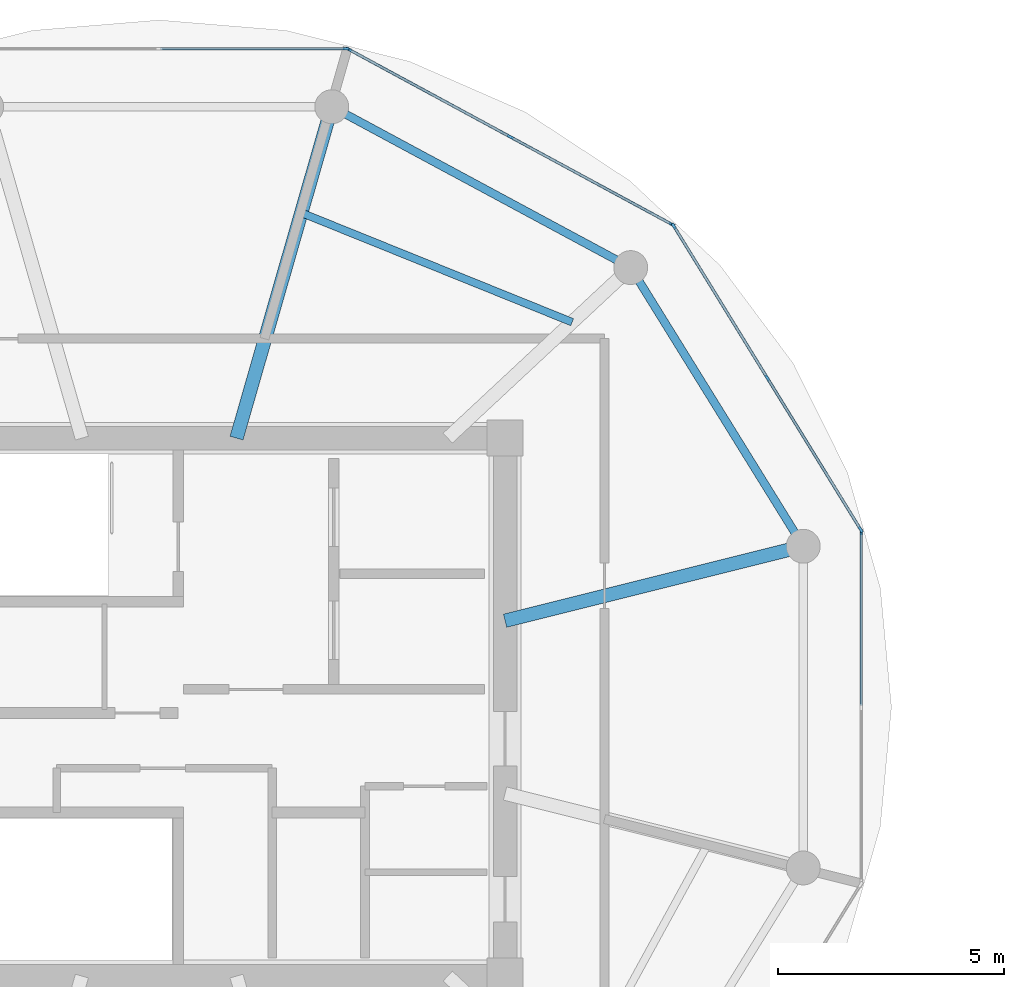
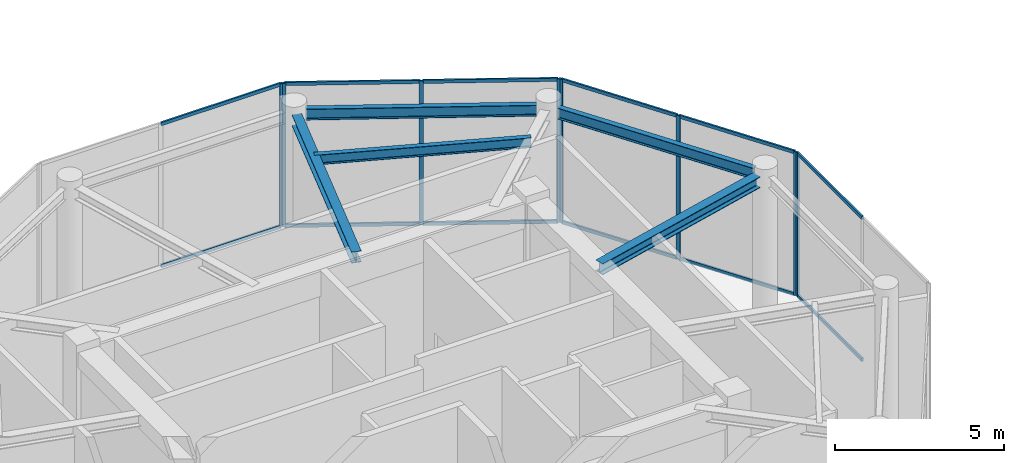
# One storey, part 5 of 15: 20 members, 5 beams, 4 elements without a shape of their own.
"""IFC4 building model written with IfcOpenShell, lengths in metres."""

from ifc_helpers import new_model, si_unit, direction, frame, origin, origin_2d, place, context, subcontext, project, spatial, rectangle, i_section, extrude, source, transform, mapped, material, layer, layer_set, material_profile, profile_set, type_object, type_shapes, element, aggregate, save


model = new_model("IFC4")

# Units and contexts
model_context = context("Model", 3, precision=1e-05, world=origin(), true_north=direction((0.0, 1.0)))
body_context = subcontext(model_context, "Body", "Model", "MODEL_VIEW")
ifc_project = project(units=[si_unit("LENGTHUNIT", "METRE"), si_unit("AREAUNIT", "SQUARE_METRE"), si_unit("VOLUMEUNIT", "CUBIC_METRE"), si_unit("PLANEANGLEUNIT", "RADIAN"), si_unit("MASSUNIT", "GRAM", prefix="KILO")], contexts=[model_context])

# Site, building, storey
site_placement = place(None, origin())
site = spatial("IfcSite", under=ifc_project, at=site_placement, CompositionType="ELEMENT")
building_placement = place(site_placement, origin())
building = spatial("IfcBuilding", under=site, at=building_placement, Name="Norrkilde Senior Care Towers", CompositionType="ELEMENT")
storey_placement = place(building_placement, frame((0.0, 0.0, 244.39990234375)))
storey = spatial("IfcBuildingStorey", under=building, at=storey_placement, Name="L76", CompositionType="ELEMENT", Elevation=244.39990234375)

# Beams
ifc_material_1 = material(Name="Steel S355", Category="steel")
ifc_material_profile_1 = material_profile(ifc_material_1, i_section(OverallWidth=0.179931640625, OverallDepth=0.39990234375, WebThickness=0.008544921875, FlangeThickness=0.013427734375, FilletRadius=0.02099609375, at=origin_2d()), Name="IPE 400")
ifc_profile_set_1 = profile_set([ifc_material_profile_1], Name="Steel S355")
beam_type_1 = type_object("IfcBeamType", Name="Perimeter Ring Spandrel Z4 IPE400", PredefinedType="SPANDREL", material=ifc_profile_set_1)
shared_shape_1 = source(origin(), body_context, "Body", "SweptSolid", [
    extrude(i_section(OverallWidth=0.179931640625, OverallDepth=0.39990234375, WebThickness=0.008544921875, FlangeThickness=0.013427734375, FilletRadius=0.02099609375, at=origin_2d()), origin(), (0.0, 0.0, 1.0), 6.58056640625),
])
beam_1_placement = place(storey_placement, frame((-13.928955078125, 3.843505859375, 4.97509765625), z_axis=(-0.526529583789, 0.850156807533, 0.0), x_axis=(-0.850156807533, -0.526529583789, 0.0)))
element("IfcBeam", 1, at=beam_1_placement, inside=storey, type_object=beam_type_1, Name="L76 Drum W Perimeter Spandrel 01", PredefinedType="SPANDREL", context=body_context, shape_type="MappedRepresentation", body=[
    mapped(shared_shape_1, transform((0.0, 0.0, 0.0), x_axis=(1.0, 0.0, 0.0), y_axis=(0.0, 1.0, 0.0), z_axis=(0.0, 0.0, 1.0), scale=1.0)),
])
ifc_material_profile_2 = material_profile(ifc_material_1, i_section(OverallWidth=0.300048828125, OverallDepth=0.39990234375, WebThickness=0.013427734375, FlangeThickness=0.02392578125, FilletRadius=0.027099609375, at=origin_2d()), Name="HEB 400")
ifc_profile_set_2 = profile_set([ifc_material_profile_2], Name="Steel S355")
beam_type_2 = type_object("IfcBeamType", Name="Radial Floor Beam Z4 HEB400", PredefinedType="BEAM", material=ifc_profile_set_2)
shared_shape_2 = source(origin(), body_context, "Body", "SweptSolid", [
    extrude(i_section(OverallWidth=0.300048828125, OverallDepth=0.39990234375, WebThickness=0.013427734375, FlangeThickness=0.02392578125, FilletRadius=0.027099609375, at=origin_2d()), origin(), (0.0, 0.0, 1.0), 6.465087890625),
])
beam_2_placement = place(storey_placement, frame((-20.35009765625, 1.910888671875, 4.97509765625), z_axis=(0.970195788563, 0.242322371758, 0.0), x_axis=(-0.242322371758, 0.970195788563, 0.0)))
element("IfcBeam", 2, at=beam_2_placement, inside=storey, type_object=beam_type_2, Name="L76 Drum W Radial Floor Beam 01", PredefinedType="BEAM", context=body_context, shape_type="MappedRepresentation", body=[
    mapped(shared_shape_2, transform((0.0, 0.0, 0.0), x_axis=(1.0, 0.0, 0.0), y_axis=(0.0, 1.0, 0.0), z_axis=(0.0, 0.0, 1.0), scale=1.0)),
])
shared_shape_3 = source(origin(), body_context, "Body", "SweptSolid", [
    extrude(i_section(OverallWidth=0.179931640625, OverallDepth=0.39990234375, WebThickness=0.008544921875, FlangeThickness=0.013427734375, FilletRadius=0.02099609375, at=origin_2d()), origin(), (0.0, 0.0, 1.0), 6.839111328125),
])
type_shapes(beam_type_1, [shared_shape_1, shared_shape_3])
beam_3_placement = place(storey_placement, frame((-17.865234375, 9.881591796875, 4.97509765625), z_axis=(-0.880563930732, 0.473927382511, 0.0), x_axis=(-0.473927382511, -0.880563930732, 0.0)))
element("IfcBeam", 3, at=beam_3_placement, inside=storey, type_object=beam_type_1, Name="L76 Drum W Perimeter Spandrel 02", PredefinedType="SPANDREL", context=body_context, shape_type="MappedRepresentation", body=[
    mapped(shared_shape_3, transform((0.0, 0.0, 0.0), x_axis=(1.0, 0.0, 0.0), y_axis=(0.0, 1.0, 0.0), z_axis=(0.0, 0.0, 1.0), scale=1.0)),
])
shared_shape_4 = source(origin(), body_context, "Body", "SweptSolid", [
    extrude(i_section(OverallWidth=0.300048828125, OverallDepth=0.39990234375, WebThickness=0.013427734375, FlangeThickness=0.02392578125, FilletRadius=0.027099609375, at=origin_2d()), origin(), (0.0, 0.0, 1.0), 7.29345703125),
])
type_shapes(beam_type_2, [shared_shape_2, shared_shape_4])
beam_4_placement = place(storey_placement, frame((-26.289794921875, 5.949951171875, 4.97509765625), z_axis=(0.276263751906, 0.961081858836, 0.0), x_axis=(-0.961081858836, 0.276263751906, 0.0)))
element("IfcBeam", 4, at=beam_4_placement, inside=storey, type_object=beam_type_2, Name="L76 Drum W Radial Floor Beam 03", PredefinedType="BEAM", context=body_context, shape_type="MappedRepresentation", body=[
    mapped(shared_shape_4, transform((0.0, 0.0, 0.0), x_axis=(1.0, 0.0, 0.0), y_axis=(0.0, 1.0, 0.0), z_axis=(0.0, 0.0, 1.0), scale=1.0)),
])
ifc_material_profile_3 = material_profile(ifc_material_1, i_section(OverallWidth=0.169921875, OverallDepth=0.360107421875, WebThickness=0.008056640625, FlangeThickness=0.0126953125, FilletRadius=0.01806640625, at=origin_2d()), Name="IPE 360")
ifc_profile_set_3 = profile_set([ifc_material_profile_3], Name="Steel S355")
beam_type_3 = type_object("IfcBeamType", Name="Secondary Floor Joist IPE360", PredefinedType="JOIST", material=ifc_profile_set_3)
shared_shape_5 = source(origin(), body_context, "Body", "SweptSolid", [
    extrude(i_section(OverallWidth=0.169921875, OverallDepth=0.360107421875, WebThickness=0.008056640625, FlangeThickness=0.0126953125, FilletRadius=0.01806640625, at=origin_2d()), origin(), (0.0, 0.0, 1.0), 6.461669921875),
])
type_shapes(beam_type_3, [shared_shape_5])
beam_5_placement = place(storey_placement, frame((-18.865234375, 8.515380859375, 4.9951171875), z_axis=(-0.927225942298, 0.374502405772, 0.0), x_axis=(-0.374502405772, -0.927225942298, 0.0)))
element("IfcBeam", 5, at=beam_5_placement, inside=storey, type_object=beam_type_3, Name="L76 Drum W Secondary Floor Joist 1", PredefinedType="JOIST", context=body_context, shape_type="MappedRepresentation", body=[
    mapped(shared_shape_5, transform((0.0, 0.0, 0.0), x_axis=(1.0, 0.0, 0.0), y_axis=(0.0, 1.0, 0.0), z_axis=(0.0, 0.0, 1.0), scale=1.0)),
])

# Curtain wall, members
ifc_material_2 = material(Name="Triple Low-E Insulated Glazing", Category="glass")
ifc_layer = layer(ifc_material_2, 0.205078125)
ifc_layer_set = layer_set([ifc_layer], Name="Triple Low-E Insulated Glazing")
curtain_wall_type = type_object("IfcCurtainWallType", Name="CW7 L76 Damper Lantern Clear Curtain Wall", PredefinedType="NOTDEFINED", material=ifc_layer_set)
curtain_wall_1_placement = place(storey_placement, origin())
curtain_wall_1 = element("IfcCurtainWall", 6, at=curtain_wall_1_placement, inside=storey, type_object=curtain_wall_type, Name="L76 Drum W Curtain Wall 00", PredefinedType="NOTDEFINED")
ifc_material_3 = material(Name="Anodised Aluminium", Category="aluminium")
ifc_material_profile_4 = material_profile(ifc_material_3, rectangle(XDim=0.06005859375, YDim=0.139892578125, at=origin_2d()), Name="ALU MULL 60x140")
ifc_profile_set_4 = profile_set([ifc_material_profile_4], Name="Anodised Aluminium")
member_type_1 = type_object("IfcMemberType", Name="Curtain Wall Mullion Lantern 60x140", PredefinedType="MULLION", material=ifc_profile_set_4)
shared_shape_6 = source(origin(), body_context, "Body", "SweptSolid", [
    extrude(rectangle(XDim=0.06005859375, YDim=0.139892578125, at=origin_2d()), origin(), (0.0, 0.0, 1.0), 5.175048828125),
])
type_shapes(member_type_1, [shared_shape_6])
member_1_placement = place(storey_placement, frame((-16.614013671875, 10.6376953125, 0.0), z_axis=(0.0, 0.0, 1.0), x_axis=(0.851562727283, 0.524252726748, 0.0)))
member_1 = element("IfcMember", 7, at=member_1_placement, type_object=member_type_1, Name="CW-7 mullion 1", PredefinedType="MULLION", context=body_context, shape_type="MappedRepresentation", body=[
    mapped(shared_shape_6, transform((0.0, 0.0, 0.0), x_axis=(1.0, 0.0, 0.0), y_axis=(0.0, 1.0, 0.0), z_axis=(0.0, 0.0, 1.0), scale=1.0)),
])
member_2_placement = place(storey_placement, frame((-14.548828125, 7.282958984375, 0.0), z_axis=(0.0, 0.0, 1.0), x_axis=(0.851562727283, 0.524252726748, 0.0)))
member_2 = element("IfcMember", 8, at=member_2_placement, type_object=member_type_1, Name="CW-7 mullion 2", PredefinedType="MULLION", context=body_context, shape_type="MappedRepresentation", body=[
    mapped(shared_shape_6, transform((0.0, 0.0, 0.0), x_axis=(1.0, 0.0, 0.0), y_axis=(0.0, 1.0, 0.0), z_axis=(0.0, 0.0, 1.0), scale=1.0)),
])
member_3_placement = place(storey_placement, frame((-12.483642578125, 3.928466796875, 0.0), z_axis=(0.0, 0.0, 1.0), x_axis=(0.851562727283, 0.524252726748, 0.0)))
member_3 = element("IfcMember", 9, at=member_3_placement, type_object=member_type_1, Name="CW-7 mullion 3", PredefinedType="MULLION", context=body_context, shape_type="MappedRepresentation", body=[
    mapped(shared_shape_6, transform((0.0, 0.0, 0.0), x_axis=(1.0, 0.0, 0.0), y_axis=(0.0, 1.0, 0.0), z_axis=(0.0, 0.0, 1.0), scale=1.0)),
])

curtain_wall_2_placement = place(storey_placement, origin())
curtain_wall_2 = element("IfcCurtainWall", 10, at=curtain_wall_2_placement, inside=storey, type_object=curtain_wall_type, Name="L76 Drum W Curtain Wall 01", PredefinedType="NOTDEFINED")
member_4_placement = place(storey_placement, frame((-23.811767578125, 14.5517578125, 0.0), z_axis=(0.0, 0.0, 1.0), x_axis=(0.476132676136, 0.879373455772, 0.0)))
member_4 = element("IfcMember", 11, at=member_4_placement, type_object=member_type_1, Name="CW-7 mullion 1", PredefinedType="MULLION", context=body_context, shape_type="MappedRepresentation", body=[
    mapped(shared_shape_6, transform((0.0, 0.0, 0.0), x_axis=(1.0, 0.0, 0.0), y_axis=(0.0, 1.0, 0.0), z_axis=(0.0, 0.0, 1.0), scale=1.0)),
])
member_5_placement = place(storey_placement, frame((-20.23388671875, 12.61474609375, 0.0), z_axis=(0.0, 0.0, 1.0), x_axis=(0.476132676136, 0.879373455772, 0.0)))
member_5 = element("IfcMember", 12, at=member_5_placement, type_object=member_type_1, Name="CW-7 mullion 2", PredefinedType="MULLION", context=body_context, shape_type="MappedRepresentation", body=[
    mapped(shared_shape_6, transform((0.0, 0.0, 0.0), x_axis=(1.0, 0.0, 0.0), y_axis=(0.0, 1.0, 0.0), z_axis=(0.0, 0.0, 1.0), scale=1.0)),
])
member_6_placement = place(storey_placement, frame((-16.656005859375, 10.677490234375, 0.0), z_axis=(0.0, 0.0, 1.0), x_axis=(0.476132676136, 0.879373455772, 0.0)))
member_6 = element("IfcMember", 13, at=member_6_placement, type_object=member_type_1, Name="CW-7 mullion 3", PredefinedType="MULLION", context=body_context, shape_type="MappedRepresentation", body=[
    mapped(shared_shape_6, transform((0.0, 0.0, 0.0), x_axis=(1.0, 0.0, 0.0), y_axis=(0.0, 1.0, 0.0), z_axis=(0.0, 0.0, 1.0), scale=1.0)),
])

# Curtain wall, member
curtain_wall_3_placement = place(storey_placement, origin())
curtain_wall_3 = element("IfcCurtainWall", 14, at=curtain_wall_3_placement, inside=storey, type_object=curtain_wall_type, Name="L76 Drum W Curtain Wall 02", PredefinedType="NOTDEFINED")
member_7_placement = place(storey_placement, frame((-23.8681640625, 14.566162109375, 0.0), z_axis=(0.0, 0.0, 1.0), x_axis=(0.0, 1.0, 0.0)))
member_7 = element("IfcMember", 15, at=member_7_placement, type_object=member_type_1, Name="CW-7 mullion 3", PredefinedType="MULLION", context=body_context, shape_type="MappedRepresentation", body=[
    mapped(shared_shape_6, transform((0.0, 0.0, 0.0), x_axis=(1.0, 0.0, 0.0), y_axis=(0.0, 1.0, 0.0), z_axis=(0.0, 0.0, 1.0), scale=1.0)),
])

curtain_wall_4_placement = place(storey_placement, origin())
curtain_wall_4 = element("IfcCurtainWall", 16, at=curtain_wall_4_placement, inside=storey, type_object=curtain_wall_type, Name="L76 Drum W Curtain Wall 11", PredefinedType="NOTDEFINED")
member_8_placement = place(storey_placement, frame((-12.468017578125, 3.873046875, 0.0), z_axis=(0.0, 0.0, 1.0), x_axis=(1.0, 0.0, 0.0)))
member_8 = element("IfcMember", 17, at=member_8_placement, type_object=member_type_1, Name="CW-7 mullion 1", PredefinedType="MULLION", context=body_context, shape_type="MappedRepresentation", body=[
    mapped(shared_shape_6, transform((0.0, 0.0, 0.0), x_axis=(1.0, 0.0, 0.0), y_axis=(0.0, 1.0, 0.0), z_axis=(0.0, 0.0, 1.0), scale=1.0)),
])

# Member
ifc_material_profile_5 = material_profile(ifc_material_3, rectangle(XDim=0.06005859375, YDim=0.1201171875, at=origin_2d()), Name="ALU TRAN 60x120")
ifc_profile_set_5 = profile_set([ifc_material_profile_5], Name="Anodised Aluminium")
member_type_2 = type_object("IfcMemberType", Name="Curtain Wall Transom Typical 60x120", PredefinedType="USERDEFINED", material=ifc_profile_set_5)
shared_shape_7 = source(origin(), body_context, "Body", "SweptSolid", [
    extrude(rectangle(XDim=0.06005859375, YDim=0.1201171875, at=origin_2d()), origin(), (0.0, 0.0, 1.0), 3.87939453125),
])
member_9_placement = place(storey_placement, frame((-16.598388671875, 10.612060546875, 0.030029296875), z_axis=(0.524290531189, -0.851539452348, 0.0), x_axis=(0.851539452348, 0.524290531189, 0.0)))
member_9 = element("IfcMember", 18, at=member_9_placement, type_object=member_type_2, Name="CW-7 transom 1.1", ObjectType="TRANSOM", PredefinedType="USERDEFINED", context=body_context, shape_type="MappedRepresentation", body=[
    mapped(shared_shape_7, transform((0.0, 0.0, 0.0), x_axis=(1.0, 0.0, 0.0), y_axis=(0.0, 1.0, 0.0), z_axis=(0.0, 0.0, 1.0), scale=1.0)),
])

member_10_placement = place(storey_placement, frame((-16.598388671875, 10.612060546875, 5.14501953125), z_axis=(0.524290531189, -0.851539452348, 0.0), x_axis=(0.851539452348, 0.524290531189, 0.0)))
member_10 = element("IfcMember", 19, at=member_10_placement, type_object=member_type_2, Name="CW-7 transom 1.2", ObjectType="TRANSOM", PredefinedType="USERDEFINED", context=body_context, shape_type="MappedRepresentation", body=[
    mapped(shared_shape_7, transform((0.0, 0.0, 0.0), x_axis=(1.0, 0.0, 0.0), y_axis=(0.0, 1.0, 0.0), z_axis=(0.0, 0.0, 1.0), scale=1.0)),
])

member_11_placement = place(storey_placement, frame((-14.533203125, 7.257568359375, 0.030029296875), z_axis=(0.524290531189, -0.851539452348, 0.0), x_axis=(0.851539452348, 0.524290531189, 0.0)))
member_11 = element("IfcMember", 20, at=member_11_placement, type_object=member_type_2, Name="CW-7 transom 2.1", ObjectType="TRANSOM", PredefinedType="USERDEFINED", context=body_context, shape_type="MappedRepresentation", body=[
    mapped(shared_shape_7, transform((0.0, 0.0, 0.0), x_axis=(1.0, 0.0, 0.0), y_axis=(0.0, 1.0, 0.0), z_axis=(0.0, 0.0, 1.0), scale=1.0)),
])

member_12_placement = place(storey_placement, frame((-14.533203125, 7.257568359375, 5.14501953125), z_axis=(0.524290531189, -0.851539452348, 0.0), x_axis=(0.851539452348, 0.524290531189, 0.0)))
member_12 = element("IfcMember", 21, at=member_12_placement, type_object=member_type_2, Name="CW-7 transom 2.2", ObjectType="TRANSOM", PredefinedType="USERDEFINED", context=body_context, shape_type="MappedRepresentation", body=[
    mapped(shared_shape_7, transform((0.0, 0.0, 0.0), x_axis=(1.0, 0.0, 0.0), y_axis=(0.0, 1.0, 0.0), z_axis=(0.0, 0.0, 1.0), scale=1.0)),
])

aggregate(curtain_wall_1, [member_1, member_2, member_3, member_9, member_10, member_11, member_12])

shared_shape_8 = source(origin(), body_context, "Body", "SweptSolid", [
    extrude(rectangle(XDim=0.06005859375, YDim=0.1201171875, at=origin_2d()), origin(), (0.0, 0.0, 1.0), 4.0087890625),
])
member_13_placement = place(storey_placement, frame((-23.785400390625, 14.53759765625, 0.030029296875), z_axis=(0.87937165888, -0.476135994815, 0.0), x_axis=(0.476135994815, 0.87937165888, 0.0)))
member_13 = element("IfcMember", 22, at=member_13_placement, type_object=member_type_2, Name="CW-7 transom 1.1", ObjectType="TRANSOM", PredefinedType="USERDEFINED", context=body_context, shape_type="MappedRepresentation", body=[
    mapped(shared_shape_8, transform((0.0, 0.0, 0.0), x_axis=(1.0, 0.0, 0.0), y_axis=(0.0, 1.0, 0.0), z_axis=(0.0, 0.0, 1.0), scale=1.0)),
])

member_14_placement = place(storey_placement, frame((-23.785400390625, 14.53759765625, 5.14501953125), z_axis=(0.87937165888, -0.476135994815, 0.0), x_axis=(0.476135994815, 0.87937165888, 0.0)))
member_14 = element("IfcMember", 23, at=member_14_placement, type_object=member_type_2, Name="CW-7 transom 1.2", ObjectType="TRANSOM", PredefinedType="USERDEFINED", context=body_context, shape_type="MappedRepresentation", body=[
    mapped(shared_shape_8, transform((0.0, 0.0, 0.0), x_axis=(1.0, 0.0, 0.0), y_axis=(0.0, 1.0, 0.0), z_axis=(0.0, 0.0, 1.0), scale=1.0)),
])

member_15_placement = place(storey_placement, frame((-20.20751953125, 12.600341796875, 0.030029296875), z_axis=(0.87937165888, -0.476135994815, 0.0), x_axis=(0.476135994815, 0.87937165888, 0.0)))
member_15 = element("IfcMember", 24, at=member_15_placement, type_object=member_type_2, Name="CW-7 transom 2.1", ObjectType="TRANSOM", PredefinedType="USERDEFINED", context=body_context, shape_type="MappedRepresentation", body=[
    mapped(shared_shape_8, transform((0.0, 0.0, 0.0), x_axis=(1.0, 0.0, 0.0), y_axis=(0.0, 1.0, 0.0), z_axis=(0.0, 0.0, 1.0), scale=1.0)),
])

member_16_placement = place(storey_placement, frame((-20.20751953125, 12.600341796875, 5.14501953125), z_axis=(0.87937165888, -0.476135994815, 0.0), x_axis=(0.476135994815, 0.87937165888, 0.0)))
member_16 = element("IfcMember", 25, at=member_16_placement, type_object=member_type_2, Name="CW-7 transom 2.2", ObjectType="TRANSOM", PredefinedType="USERDEFINED", context=body_context, shape_type="MappedRepresentation", body=[
    mapped(shared_shape_8, transform((0.0, 0.0, 0.0), x_axis=(1.0, 0.0, 0.0), y_axis=(0.0, 1.0, 0.0), z_axis=(0.0, 0.0, 1.0), scale=1.0)),
])

aggregate(curtain_wall_2, [member_4, member_5, member_6, member_13, member_14, member_15, member_16])

shared_shape_9 = source(origin(), body_context, "Body", "SweptSolid", [
    extrude(rectangle(XDim=0.06005859375, YDim=0.1201171875, at=origin_2d()), origin(), (0.0, 0.0, 1.0), 4.07177734375),
])
member_17_placement = place(storey_placement, frame((-27.969970703125, 14.566162109375, 0.030029296875), z_axis=(1.0, 0.0, 0.0), x_axis=(0.0, 1.0, 0.0)))
member_17 = element("IfcMember", 26, at=member_17_placement, type_object=member_type_2, Name="CW-7 transom 2.1", ObjectType="TRANSOM", PredefinedType="USERDEFINED", context=body_context, shape_type="MappedRepresentation", body=[
    mapped(shared_shape_9, transform((0.0, 0.0, 0.0), x_axis=(1.0, 0.0, 0.0), y_axis=(0.0, 1.0, 0.0), z_axis=(0.0, 0.0, 1.0), scale=1.0)),
])

member_18_placement = place(storey_placement, frame((-27.969970703125, 14.566162109375, 5.14501953125), z_axis=(1.0, 0.0, 0.0), x_axis=(0.0, 1.0, 0.0)))
member_18 = element("IfcMember", 27, at=member_18_placement, type_object=member_type_2, Name="CW-7 transom 2.2", ObjectType="TRANSOM", PredefinedType="USERDEFINED", context=body_context, shape_type="MappedRepresentation", body=[
    mapped(shared_shape_9, transform((0.0, 0.0, 0.0), x_axis=(1.0, 0.0, 0.0), y_axis=(0.0, 1.0, 0.0), z_axis=(0.0, 0.0, 1.0), scale=1.0)),
])

aggregate(curtain_wall_3, [member_7, member_17, member_18])

shared_shape_10 = source(origin(), body_context, "Body", "SweptSolid", [
    extrude(rectangle(XDim=0.06005859375, YDim=0.1201171875, at=origin_2d()), origin(), (0.0, 0.0, 1.0), 3.81298828125),
])
type_shapes(member_type_2, [shared_shape_7, shared_shape_8, shared_shape_9, shared_shape_10])
member_19_placement = place(storey_placement, frame((-12.468017578125, 3.843017578125, 0.030029296875), z_axis=(0.0, -1.0, 0.0), x_axis=(1.0, 0.0, 0.0)))
member_19 = element("IfcMember", 28, at=member_19_placement, type_object=member_type_2, Name="CW-7 transom 1.1", ObjectType="TRANSOM", PredefinedType="USERDEFINED", context=body_context, shape_type="MappedRepresentation", body=[
    mapped(shared_shape_10, transform((0.0, 0.0, 0.0), x_axis=(1.0, 0.0, 0.0), y_axis=(0.0, 1.0, 0.0), z_axis=(0.0, 0.0, 1.0), scale=1.0)),
])

member_20_placement = place(storey_placement, frame((-12.468017578125, 3.843017578125, 5.14501953125), z_axis=(0.0, -1.0, 0.0), x_axis=(1.0, 0.0, 0.0)))
member_20 = element("IfcMember", 29, at=member_20_placement, type_object=member_type_2, Name="CW-7 transom 1.2", ObjectType="TRANSOM", PredefinedType="USERDEFINED", context=body_context, shape_type="MappedRepresentation", body=[
    mapped(shared_shape_10, transform((0.0, 0.0, 0.0), x_axis=(1.0, 0.0, 0.0), y_axis=(0.0, 1.0, 0.0), z_axis=(0.0, 0.0, 1.0), scale=1.0)),
])

aggregate(curtain_wall_4, [member_8, member_19, member_20])

save(model, "model.ifc")
